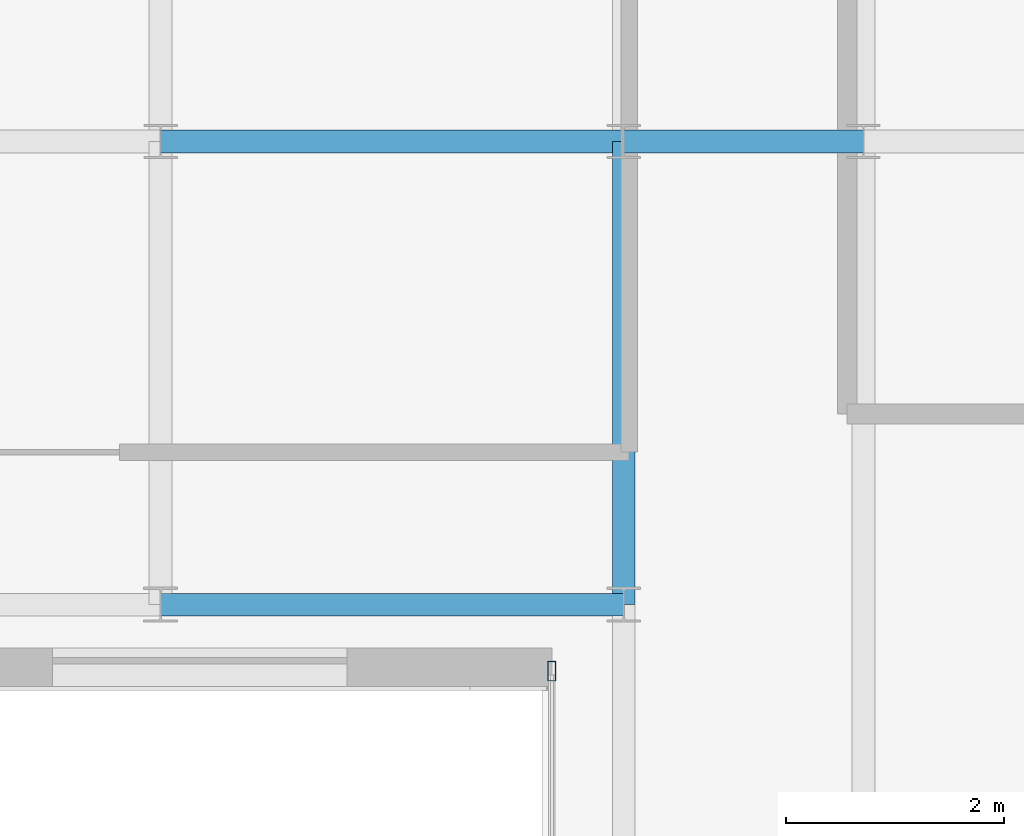
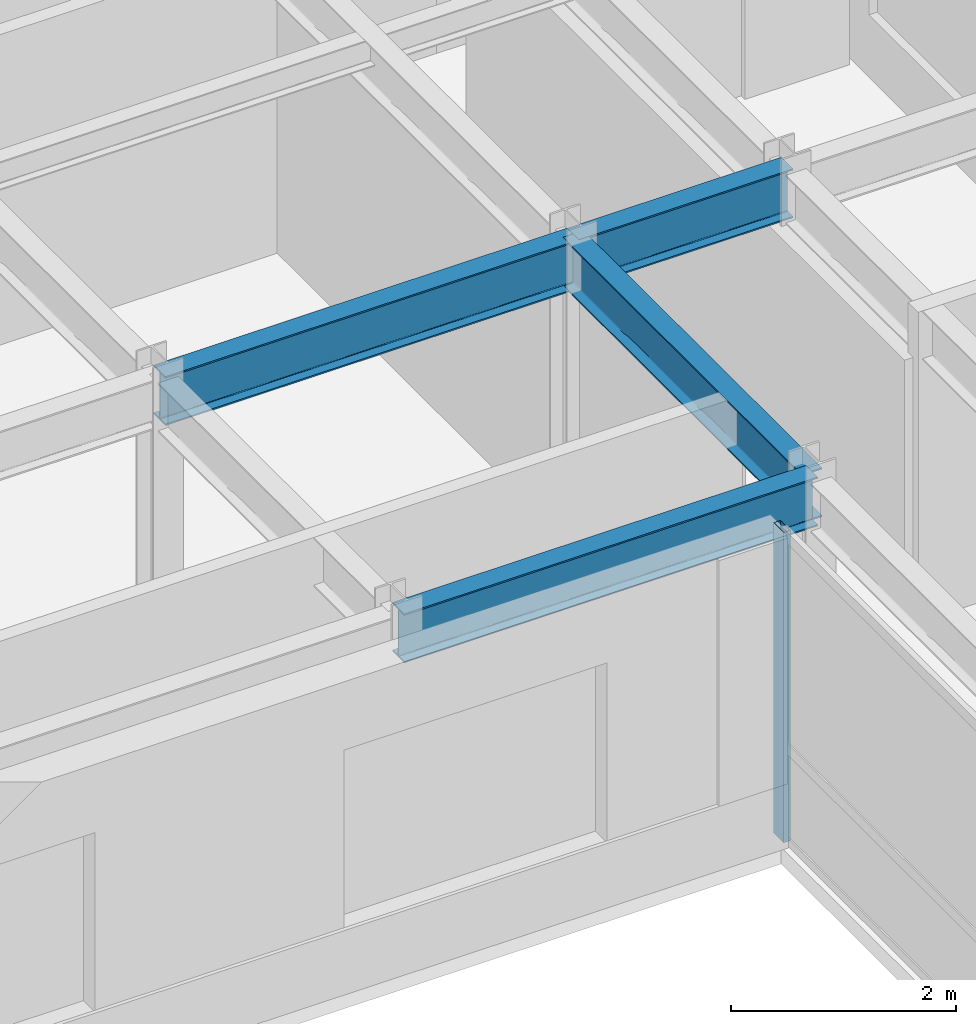
# One storey, part 11 of 20: 4 beams, 1 member, 1 element without a shape of its own.
"""IFC4 building model written with IfcOpenShell, lengths in metres."""

from ifc_helpers import new_model, si_unit, direction, frame, origin, origin_2d, place, context, subcontext, project, spatial, hollow_rectangle, i_section, extrude, source, transform, mapped, material, layer, layer_set, material_profile, profile_set, type_object, type_shapes, element, aggregate, save


model = new_model("IFC4")

# Units and contexts
model_context = context("Model", 3, precision=1e-05, world=origin(), true_north=direction((0.0, 1.0)))
body_context = subcontext(model_context, "Body", "Model", "MODEL_VIEW")
ifc_project = project(units=[si_unit("LENGTHUNIT", "METRE"), si_unit("AREAUNIT", "SQUARE_METRE"), si_unit("VOLUMEUNIT", "CUBIC_METRE"), si_unit("PLANEANGLEUNIT", "RADIAN"), si_unit("MASSUNIT", "GRAM", prefix="KILO")], contexts=[model_context])

# Site, building, storey
site_placement = place(None, origin())
site = spatial("IfcSite", under=ifc_project, at=site_placement, CompositionType="ELEMENT")
building_placement = place(site_placement, origin())
building = spatial("IfcBuilding", under=site, at=building_placement, Name="Tolvann Quenvar Hotel", CompositionType="ELEMENT")
storey_placement = place(building_placement, frame((0.0, 0.0, 248.75)))
storey = spatial("IfcBuildingStorey", under=building, at=storey_placement, Name="L66", CompositionType="ELEMENT", Elevation=248.75)

# Beams
ifc_material_1 = material(Name="Steel Grade 350", Category="steel")
ifc_material_profile_1 = material_profile(ifc_material_1, i_section(OverallWidth=0.208984375, OverallDepth=0.532958984375, WebThickness=0.01025390625, FlangeThickness=0.015625, FilletRadius=0.013916015625, at=origin_2d()), Name="530UB92")
ifc_profile_set_1 = profile_set([ifc_material_profile_1], Name="Steel Grade 350")
beam_type = type_object("IfcBeamType", Name="BM_GIRD_530UB92", PredefinedType="BEAM", material=ifc_profile_set_1)
shared_shape_1 = source(origin(), body_context, "Body", "SweptSolid", [
    extrude(i_section(OverallWidth=0.208984375, OverallDepth=0.532958984375, WebThickness=0.01025390625, FlangeThickness=0.015625, FilletRadius=0.013916015625, at=origin_2d()), origin(), (0.0, 0.0, 1.0), 2.199951171875),
])
beam_placement = place(storey_placement, frame((32.75, 24.39990234375, 3.103515625), z_axis=(1.0, 0.0, 0.0), x_axis=(0.0, 1.0, 0.0)))
element("IfcBeam", 1, at=beam_placement, inside=storey, type_object=beam_type, Name="BM-L66-EW-5-FP5-F5", PredefinedType="BEAM", context=body_context, shape_type="MappedRepresentation", body=[
    mapped(shared_shape_1, transform((0.0, 0.0, 0.0), x_axis=(1.0, 0.0, 0.0), y_axis=(0.0, 1.0, 0.0), z_axis=(0.0, 0.0, 1.0), scale=1.0)),
])
shared_shape_2 = source(origin(), body_context, "Body", "SweptSolid", [
    extrude(i_section(OverallWidth=0.208984375, OverallDepth=0.532958984375, WebThickness=0.01025390625, FlangeThickness=0.015625, FilletRadius=0.013916015625, at=origin_2d()), origin(), (0.0, 0.0, 1.0), 4.25),
])
type_shapes(beam_type, [shared_shape_1, shared_shape_2])
for number, where, z_axis, x_axis, name in (
    (2, (28.5, 20.14990234375, 3.103515625), (1.0, 0.0, 0.0), (0.0, 1.0, 0.0), "BM-L66-EW-4P-M4P-FP4P"),
    (3, (28.5, 24.39990234375, 3.103515625), (1.0, 0.0, 0.0), (0.0, 1.0, 0.0), "BM-L66-EW-5-M5-FP5"),
    (4, (32.75, 20.14990234375, 3.103515625), (0.0, 1.0, 0.0), (-1.0, 0.0, 0.0), "BM-L66-NS-FP4P-FP5"),
):
    element("IfcBeam", number, at=place(storey_placement, frame(where, z_axis=z_axis, x_axis=x_axis)), inside=storey, type_object=beam_type, Name=name, PredefinedType="BEAM", context=body_context, shape_type="MappedRepresentation", body=[
        mapped(shared_shape_2, transform((0.0, 0.0, 0.0), x_axis=(1.0, 0.0, 0.0), y_axis=(0.0, 1.0, 0.0), z_axis=(0.0, 0.0, 1.0), scale=1.0)),
    ])

# Curtain wall, member
ifc_material_2 = material(Name="Thermally broken anodised architectural aluminium 6063-T6 and laminated low-E glass", Category="aluminium")
ifc_layer = layer(ifc_material_2, 0.179931640625)
ifc_layer_set = layer_set([ifc_layer], Name="Thermally broken anodised architectural aluminium 6063-T6 and laminated low-E glass")
curtain_wall_type = type_object("IfcCurtainWallType", Name="CW_SYS_PORTAL_05", PredefinedType="USERDEFINED", material=ifc_layer_set)
curtain_wall_placement = place(storey_placement, origin())
curtain_wall = element("IfcCurtainWall", 5, at=curtain_wall_placement, inside=storey, type_object=curtain_wall_type, Name="Curtain Wall CW-PORTAL-05 (CWR-L66-E07)", ObjectType="UNITISED CURTAIN WALL", PredefinedType="USERDEFINED")
ifc_material_3 = material(Name="Anodised architectural aluminium 6063-T6 framing", Category="aluminium")
ifc_material_profile_2 = material_profile(ifc_material_3, hollow_rectangle(XDim=0.070068359375, YDim=0.179931640625, WallThickness=0.00390625, at=origin_2d()), Name="180x70x4RHS")
ifc_profile_set_2 = profile_set([ifc_material_profile_2], Name="Anodised architectural aluminium 6063-T6 framing")
member_type = type_object("IfcMemberType", Name="CW_MULL_180x70", PredefinedType="MULLION", material=ifc_profile_set_2)
shared_shape_3 = source(origin(), body_context, "Body", "SweptSolid", [
    extrude(hollow_rectangle(XDim=0.070068359375, YDim=0.179931640625, WallThickness=0.00390625, at=origin_2d()), origin(), (0.0, 0.0, 1.0), 3.3701171875),
])
type_shapes(member_type, [shared_shape_3])
member_placement = place(storey_placement, frame((32.090087890625, 19.5400390625, 0.0), z_axis=(0.0, 0.0, 1.0), x_axis=(1.0, 0.0, 0.0)))
member = element("IfcMember", 6, at=member_placement, type_object=member_type, Name="CW-PORTAL-05 mullion 1", PredefinedType="MULLION", context=body_context, shape_type="MappedRepresentation", body=[
    mapped(shared_shape_3, transform((0.0, 0.0, 0.0), x_axis=(1.0, 0.0, 0.0), y_axis=(0.0, 1.0, 0.0), z_axis=(0.0, 0.0, 1.0), scale=1.0)),
])
aggregate(curtain_wall, [member])

save(model, "model.ifc")
